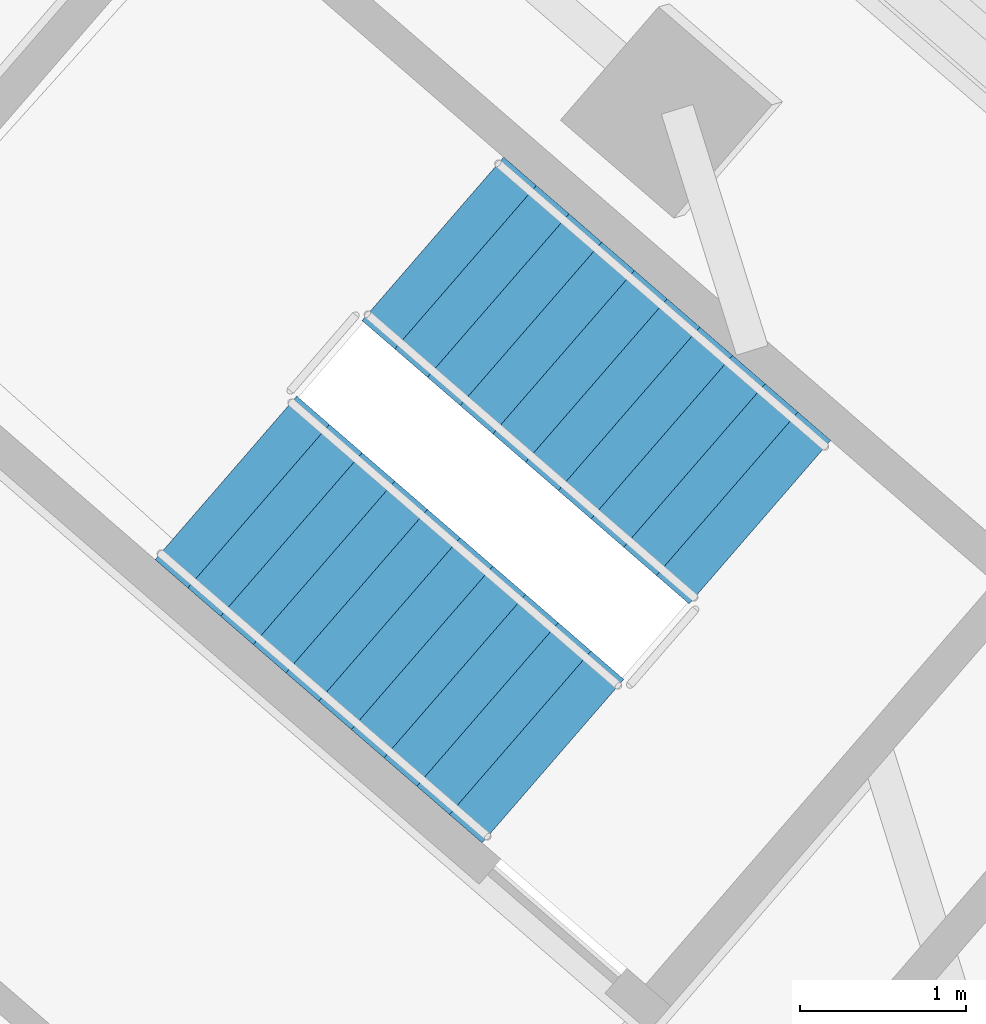
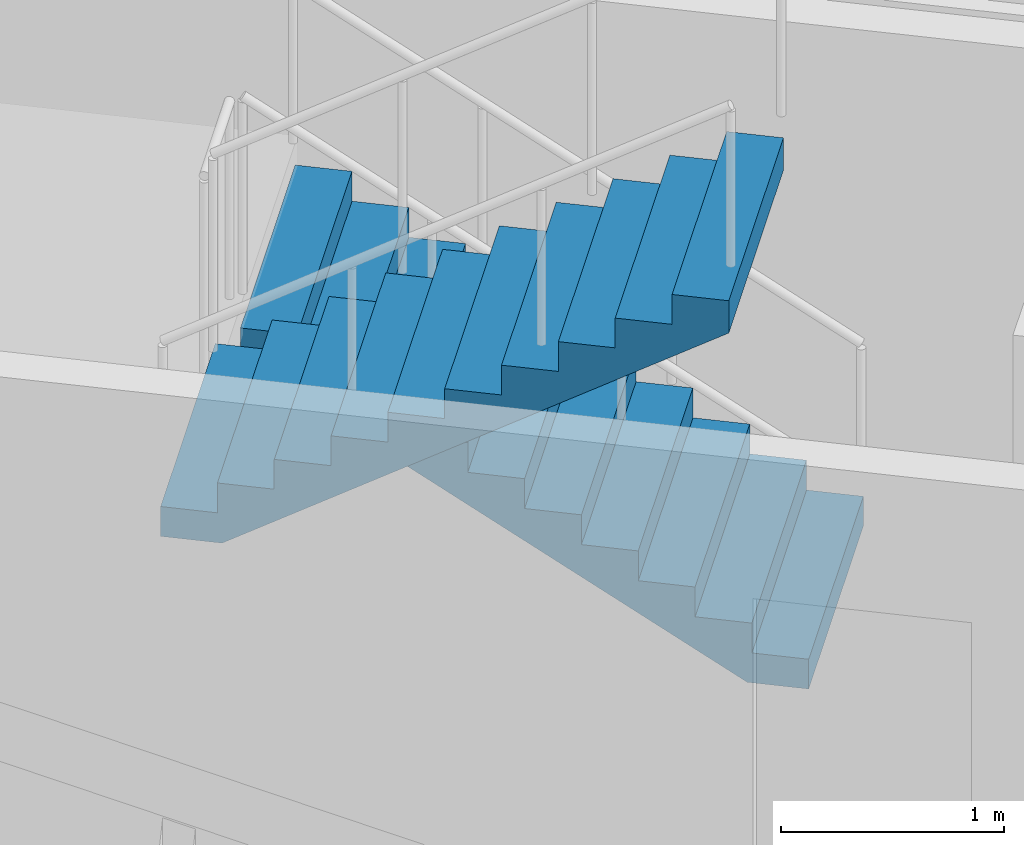
# One storey, part 24 of 32: 2 stair flights, 1 element without a shape of its own.
"""IFC4 building model written with IfcOpenShell, lengths in metres."""

from ifc_helpers import new_model, si_unit, direction, frame, origin, place, context, subcontext, project, spatial, polyline, outline, extrude, material, type_object, element, aggregate, save


model = new_model("IFC4")

# Units and contexts
model_context = context("Model", 3, precision=1e-05, world=origin(), true_north=direction((0.0, 1.0)))
body_context = subcontext(model_context, "Body", "Model", "MODEL_VIEW")
ifc_project = project(units=[si_unit("LENGTHUNIT", "METRE"), si_unit("AREAUNIT", "SQUARE_METRE"), si_unit("VOLUMEUNIT", "CUBIC_METRE"), si_unit("PLANEANGLEUNIT", "RADIAN"), si_unit("MASSUNIT", "GRAM", prefix="KILO")], contexts=[model_context])

# Site, building, storey
site_placement = place(None, origin())
site = spatial("IfcSite", under=ifc_project, at=site_placement, CompositionType="ELEMENT")
building_placement = place(site_placement, origin())
building = spatial("IfcBuilding", under=site, at=building_placement, Name="Tamarind Cross Interchange Tower", CompositionType="ELEMENT")
storey_placement = place(building_placement, frame((0.0, 0.0, 211.300048828125)))
storey = spatial("IfcBuildingStorey", under=building, at=storey_placement, Name="L53", CompositionType="ELEMENT", Elevation=211.300048828125)

# Stair, stair flights
ifc_material_1 = material(Name="Exit stair")
stair_type = type_object("IfcStairType", Name="Exit stair", PredefinedType="HALF_TURN_STAIR", material=ifc_material_1)
stair_placement = place(storey_placement, origin())
stair = element("IfcStair", 1, at=stair_placement, inside=storey, type_object=stair_type, Name="L53 exit stair ST4", PredefinedType="HALF_TURN_STAIR")
ifc_material_2 = material(Name="Exit stair flight")
stair_flight_type = type_object("IfcStairFlightType", Name="Exit stair flight", PredefinedType="STRAIGHT", material=ifc_material_2)
stair_flight_1_placement = place(storey_placement, frame((-2.17626953125, 29.1103515625, 0.0), z_axis=(0.0, 0.0, 1.0), x_axis=(-0.755917458902, 0.654666934653, 0.0)))
stair_flight_1 = element("IfcStairFlight", 2, at=stair_flight_1_placement, type_object=stair_flight_type, Name="ST4 flight 1", NumberOfRisers=11, NumberOfTreads=10, PredefinedType="STRAIGHT", RiserHeight=0.163636364, TreadLength=0.26, context=body_context, shape_type="SweptSolid", body=[
    extrude(outline(polyline([(0.0, 0.0), (0.0, 0.16357421875), (0.260009765625, 0.16357421875), (0.260009765625, 0.327392578125), (0.52001953125, 0.327392578125), (0.52001953125, 0.490966796875), (0.780029296875, 0.490966796875), (0.780029296875, 0.654541015625), (1.0400390625, 0.654541015625), (1.0400390625, 0.818115234375), (1.300048828125, 0.818115234375), (1.300048828125, 0.98193359375), (1.56005859375, 0.98193359375), (1.56005859375, 1.1455078125), (1.820068359375, 1.1455078125), (1.820068359375, 1.30908203125), (2.080078125, 1.30908203125), (2.080078125, 1.47265625), (2.340087890625, 1.47265625), (2.340087890625, 1.636474609375), (2.60009765625, 1.636474609375), (2.60009765625, 1.800048828125), (2.60009765625, 1.459228515625), (0.281494140625, 0.0), (0.0, 0.0)])), frame((0.0, 0.64990234375, 0.0), z_axis=(0.0, -1.0, 0.0), x_axis=(1.0, 0.0, 0.0)), (0.0, 0.0, 1.0), 1.300048828125),
])
stair_flight_2_placement = place(storey_placement, frame((-5.385498046875, 29.376220703125, 1.800048828125), z_axis=(0.0, 0.0, 1.0), x_axis=(0.755917458902, -0.654666934653, 0.0)))
stair_flight_2 = element("IfcStairFlight", 3, at=stair_flight_2_placement, type_object=stair_flight_type, Name="ST4 flight 2", NumberOfRisers=11, NumberOfTreads=10, PredefinedType="STRAIGHT", RiserHeight=0.163636364, TreadLength=0.26, context=body_context, shape_type="SweptSolid", body=[
    extrude(outline(polyline([(0.0, 0.0), (0.0, 0.16357421875), (0.260009765625, 0.16357421875), (0.260009765625, 0.327392578125), (0.52001953125, 0.327392578125), (0.52001953125, 0.490966796875), (0.780029296875, 0.490966796875), (0.780029296875, 0.654541015625), (1.0400390625, 0.654541015625), (1.0400390625, 0.818115234375), (1.300048828125, 0.818115234375), (1.300048828125, 0.98193359375), (1.56005859375, 0.98193359375), (1.56005859375, 1.1455078125), (1.820068359375, 1.1455078125), (1.820068359375, 1.30908203125), (2.080078125, 1.30908203125), (2.080078125, 1.47265625), (2.340087890625, 1.47265625), (2.340087890625, 1.636474609375), (2.60009765625, 1.636474609375), (2.60009765625, 1.800048828125), (2.60009765625, 1.459228515625), (0.281494140625, 0.0), (0.0, 0.0)])), frame((0.0, 0.64990234375, 0.0), z_axis=(0.0, -1.0, 0.0), x_axis=(1.0, 0.0, 0.0)), (0.0, 0.0, 1.0), 1.300048828125),
])
aggregate(stair, [stair_flight_1, stair_flight_2])

save(model, "model.ifc")
